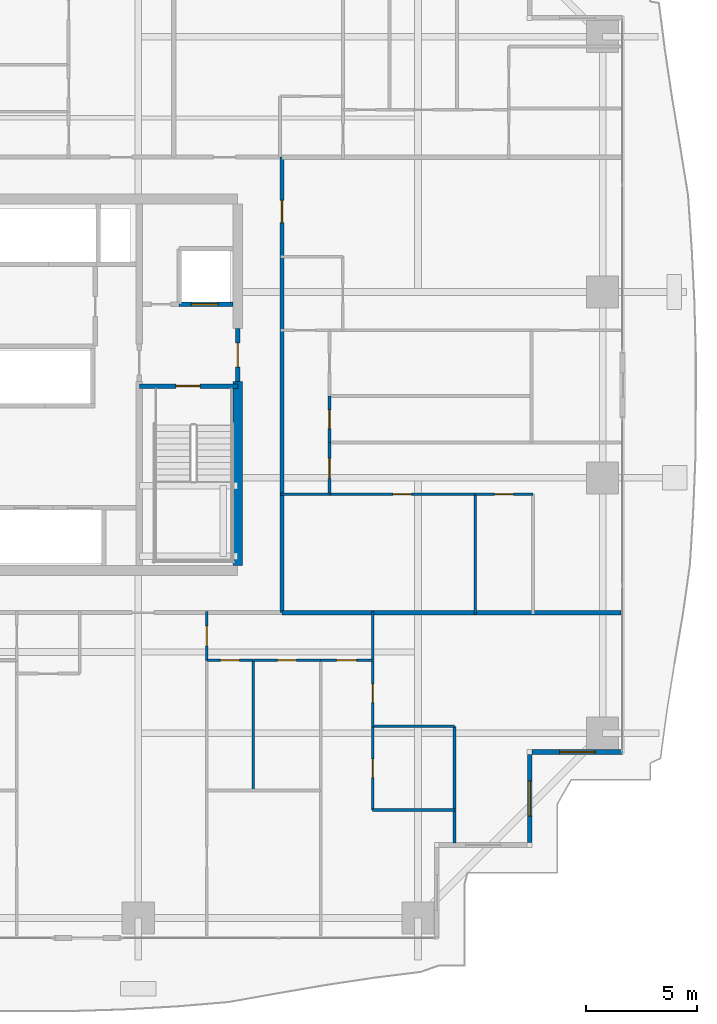
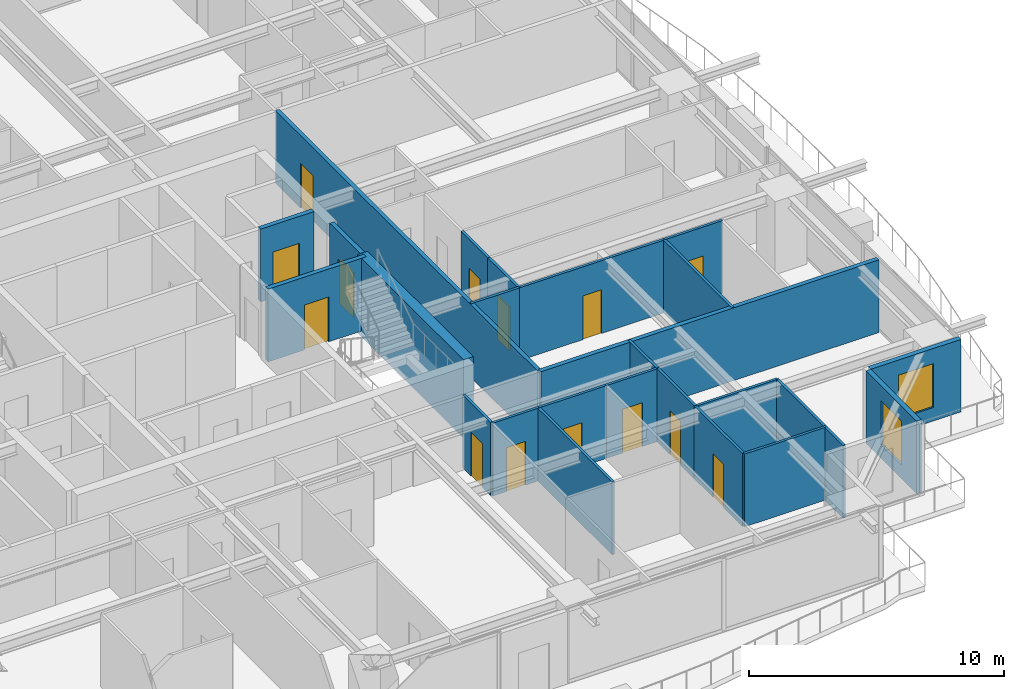
# One storey, part 29 of 39: 25 walls, 14 doors, 2 windows, 16 openings.
"""IFC4 building model written with IfcOpenShell, lengths in metres."""

from ifc_helpers import new_model, si_unit, direction, frame, frame_2d, origin, place, context, subcontext, project, spatial, rectangle, extrude, source, transform, mapped, material, layer, layer_set, type_object, element, fill, save


model = new_model("IFC4")

# Units and contexts
model_context = context("Model", 3, precision=1e-05, world=origin(), true_north=direction((0.0, 1.0)))
body_context = subcontext(model_context, "Body", "Model", "MODEL_VIEW")
ifc_project = project(units=[si_unit("LENGTHUNIT", "METRE"), si_unit("AREAUNIT", "SQUARE_METRE"), si_unit("VOLUMEUNIT", "CUBIC_METRE"), si_unit("PLANEANGLEUNIT", "RADIAN"), si_unit("MASSUNIT", "GRAM", prefix="KILO")], contexts=[model_context])

# Site, building, storey
site_placement = place(None, origin())
site = spatial("IfcSite", under=ifc_project, at=site_placement, CompositionType="ELEMENT")
building_placement = place(site_placement, origin())
building = spatial("IfcBuilding", under=site, at=building_placement, Name="Serunith Strait Residences", CompositionType="ELEMENT")
storey_placement = place(building_placement, frame((0.0, 0.0, 49.199951171875)))
storey = spatial("IfcBuildingStorey", under=building, at=storey_placement, Name="L11", CompositionType="ELEMENT", Elevation=49.199951171875)

# Wall, opening, window
ifc_material_1 = material(Name="Pale-Champagne Aluminium Insulated Panel", Category="aluminium")
ifc_layer_1 = layer(ifc_material_1, 0.219970703125, Name="Pale-Champagne Aluminium Insulated Panel")
ifc_layer_set_1 = layer_set([ifc_layer_1], Name="Pale-Champagne Aluminium Insulated Panel")
wall_type_1 = type_object("IfcWallType", Name="EW-ALUM-220", PredefinedType="ELEMENTEDWALL", material=ifc_layer_set_1)
wall_1_placement = place(storey_placement, frame((54.60009765625, 4.510009765625, 0.0), z_axis=(0.0, 0.0, 1.0), x_axis=(0.0, 1.0, 0.0)))
wall_1 = element("IfcWall", 1, at=wall_1_placement, inside=storey, type_object=wall_type_1, Name="L11 Girih Serrated Corner Wall 04", PredefinedType="ELEMENTEDWALL", context=body_context, shape_type="SweptSolid", body=[
    extrude(rectangle(XDim=3.97998046875, YDim=0.219970703125, at=frame_2d((1.989990234375, 0.0))), origin(), (0.0, 0.0, 1.0), 3.47509765625),
])
opening_1_placement = place(wall_1_placement, frame((1.18994140625, 0.0, 0.64990234375)))
opening_1 = element("IfcOpeningElement", 2, at=opening_1_placement, cuts=wall_1, Name="Opening W-02", PredefinedType="OPENING", context=body_context, shape_type="SweptSolid", body=[
    extrude(rectangle(XDim=1.60009765625, YDim=2.10009765625, at=frame_2d((0.800048828125, 1.050048828125))), frame((0.0, 0.1201171875, 0.0), z_axis=(0.0, -1.0, 0.0), x_axis=(1.0, 0.0, 0.0)), (0.0, 0.0, 1.0), 0.239990234375),
])
ifc_material_2 = material(Name="Ceramic-Fritted Operable Aluminium Window Glass", Category="aluminium")
window_type = type_object("IfcWindowType", Name="WIN-C2", PartitioningType="DOUBLE_PANEL_VERTICAL", PredefinedType="WINDOW", material=ifc_material_2)
shared_shape_1 = source(origin(), body_context, "Body", "SweptSolid", [
    extrude(rectangle(XDim=1.60009765625, YDim=2.10009765625, at=frame_2d((0.800048828125, 1.050048828125))), frame((0.0, 0.030029296875, 0.0), z_axis=(0.0, -1.0, 0.0), x_axis=(1.0, 0.0, 0.0)), (0.0, 0.0, 1.0), 0.06005859375),
])
window_1_placement = place(opening_1_placement, origin())
window_1 = element("IfcWindow", 3, at=window_1_placement, inside=storey, type_object=window_type, Name="L11 Corner Operable Fritted Window 04", OverallHeight=2.10009765625, OverallWidth=1.60009765625, PartitioningType="SINGLE_PANEL", PredefinedType="WINDOW", context=body_context, shape_type="MappedRepresentation", body=[
    mapped(shared_shape_1, transform((0.0, 0.0, 0.0), scale=1.0)),
])
fill(opening_1, window_1)

wall_2_placement = place(storey_placement, frame((54.7099609375, 8.60009765625, 0.0), z_axis=(0.0, 0.0, 1.0), x_axis=(1.0, 0.0, 0.0)))
wall_2 = element("IfcWall", 4, at=wall_2_placement, inside=storey, type_object=wall_type_1, Name="L11 Girih Serrated Corner Wall 05", PredefinedType="ELEMENTEDWALL", context=body_context, shape_type="SweptSolid", body=[
    extrude(rectangle(XDim=4.090087890625, YDim=0.219970703125, at=frame_2d((2.044921875, 0.0))), origin(), (0.0, 0.0, 1.0), 3.47509765625),
])
opening_2_placement = place(wall_2_placement, frame((1.2451171875, 0.0, 0.64990234375)))
opening_2 = element("IfcOpeningElement", 5, at=opening_2_placement, cuts=wall_2, Name="Opening W-02", PredefinedType="OPENING", context=body_context, shape_type="SweptSolid", body=[
    extrude(rectangle(XDim=1.60009765625, YDim=2.10009765625, at=frame_2d((0.800048828125, 1.050048828125))), frame((0.0, 0.1201171875, 0.0), z_axis=(0.0, -1.0, 0.0), x_axis=(1.0, 0.0, 0.0)), (0.0, 0.0, 1.0), 0.239990234375),
])
window_2_placement = place(opening_2_placement, origin())
window_2 = element("IfcWindow", 6, at=window_2_placement, inside=storey, type_object=window_type, Name="L11 Corner Operable Fritted Window 05", OverallHeight=2.10009765625, OverallWidth=1.60009765625, PartitioningType="SINGLE_PANEL", PredefinedType="WINDOW", context=body_context, shape_type="MappedRepresentation", body=[
    mapped(shared_shape_1, transform((0.0, 0.0, 0.0), scale=1.0)),
])
fill(opening_2, window_2)

# Wall, opening, door
ifc_material_3 = material(Name="Fire-rated acoustic gypsum partition")
ifc_layer_2 = layer(ifc_material_3, 0.179931640625, Name="Fire-rated acoustic gypsum partition")
ifc_layer_set_2 = layer_set([ifc_layer_2], Name="Fire-rated acoustic gypsum partition")
wall_type_2 = type_object("IfcWallType", Name="IW-CORR-180", PredefinedType="PARTITIONING", material=ifc_layer_set_2)
wall_3_placement = place(storey_placement, frame((43.39990234375, 14.89990234375, 0.0), z_axis=(0.0, 0.0, 1.0), x_axis=(0.0, 1.0, 0.0)))
wall_3 = element("IfcWall", 7, at=wall_3_placement, inside=storey, type_object=wall_type_2, Name="L11 Partition Wall 024", PredefinedType="PARTITIONING", context=body_context, shape_type="SweptSolid", body=[
    extrude(rectangle(XDim=20.60009765625, YDim=0.179931640625, at=frame_2d((10.300048828125, 0.0))), origin(), (0.0, 0.0, 1.0), 3.489990234375),
])
opening_3_placement = place(wall_3_placement, frame((17.639892578125, 0.0, 0.0)))
opening_3 = element("IfcOpeningElement", 8, at=opening_3_placement, cuts=wall_3, Name="Opening D-APT1000", PredefinedType="OPENING", context=body_context, shape_type="SweptSolid", body=[
    extrude(rectangle(XDim=1.0, YDim=2.14990234375, at=frame_2d((0.5, 1.074951171875))), frame((0.0, 0.10009765625, 0.0), z_axis=(0.0, -1.0, 0.0), x_axis=(1.0, 0.0, 0.0)), (0.0, 0.0, 1.0), 0.199951171875),
])
ifc_material_4 = material(Name="Solid timber engineered fire door", Category="wood")
door_type_1 = type_object("IfcDoorType", Name="ID-APT-1000", OperationType="NOTDEFINED", PredefinedType="DOOR", material=ifc_material_4)
shared_shape_2 = source(origin(), body_context, "Body", "SweptSolid", [
    extrude(rectangle(XDim=1.0, YDim=2.14990234375, at=frame_2d((0.5, 1.074951171875))), frame((0.0, 0.02490234375, 0.0), z_axis=(0.0, -1.0, 0.0), x_axis=(1.0, 0.0, 0.0)), (0.0, 0.0, 1.0), 0.050048828125),
])
door_1_placement = place(opening_3_placement, origin())
door_1 = element("IfcDoor", 9, at=door_1_placement, inside=storey, type_object=door_type_1, Name="L11 Unit 07 Entrance Door", OperationType="SINGLE_SWING_RIGHT", OverallHeight=2.14990234375, OverallWidth=1.0, PredefinedType="DOOR", context=body_context, shape_type="MappedRepresentation", body=[
    mapped(shared_shape_2, transform((0.0, 0.0, 0.0), scale=1.0)),
])
fill(opening_3, door_1)

ifc_material_5 = material(Name="Lightweight steel-stud gypsum partition", Category="steel")
ifc_layer_3 = layer(ifc_material_5, 0.1201171875, Name="Lightweight steel-stud gypsum partition")
ifc_layer_set_3 = layer_set([ifc_layer_3], Name="Lightweight steel-stud gypsum partition")
wall_type_3 = type_object("IfcWallType", Name="IW-PART-120", PredefinedType="PARTITIONING", material=ifc_layer_set_3)
wall_4_placement = place(storey_placement, frame((40.0, 12.75, 0.0), z_axis=(0.0, 0.0, 1.0), x_axis=(0.0, 1.0, 0.0)))
wall_4 = element("IfcWall", 10, at=wall_4_placement, inside=storey, type_object=wall_type_3, Name="L11 Partition Wall 042", PredefinedType="PARTITIONING", context=body_context, shape_type="SweptSolid", body=[
    extrude(rectangle(XDim=2.2099609375, YDim=0.1201171875, at=frame_2d((1.10498046875, 0.0))), origin(), (0.0, 0.0, 1.0), 3.489990234375),
])
opening_4_placement = place(wall_4_placement, frame((0.655029296875, 0.0, 0.0)))
opening_4 = element("IfcOpeningElement", 11, at=opening_4_placement, cuts=wall_4, Name="Opening D-RM900", PredefinedType="OPENING", context=body_context, shape_type="SweptSolid", body=[
    extrude(rectangle(XDim=0.89990234375, YDim=2.10009765625, at=frame_2d((0.449951171875, 1.050048828125))), frame((0.0, 0.070068359375, 0.0), z_axis=(0.0, -1.0, 0.0), x_axis=(1.0, 0.0, 0.0)), (0.0, 0.0, 1.0), 0.14013671875),
])
ifc_material_6 = material(Name="Engineered timber flush bedroom door", Category="wood")
door_type_2 = type_object("IfcDoorType", Name="ID-ROOM-900", OperationType="NOTDEFINED", PredefinedType="DOOR", material=ifc_material_6)
shared_shape_3 = source(origin(), body_context, "Body", "SweptSolid", [
    extrude(rectangle(XDim=0.89990234375, YDim=2.10009765625, at=frame_2d((0.449951171875, 1.050048828125))), frame((0.0, 0.02490234375, 0.0), z_axis=(0.0, -1.0, 0.0), x_axis=(1.0, 0.0, 0.0)), (0.0, 0.0, 1.0), 0.050048828125),
])
door_2_placement = place(opening_4_placement, origin())
door_2 = element("IfcDoor", 12, at=door_2_placement, inside=storey, type_object=door_type_2, Name="L11 Hall E 1101 Door", OperationType="SINGLE_SWING_LEFT", OverallHeight=2.10009765625, OverallWidth=0.89990234375, PredefinedType="DOOR", context=body_context, shape_type="MappedRepresentation", body=[
    mapped(shared_shape_3, transform((0.0, 0.0, 0.0), scale=1.0)),
])
fill(opening_4, door_2)

# Wall
wall_5_placement = place(storey_placement, frame((42.10009765625, 6.860107421875, 0.0), z_axis=(0.0, 0.0, 1.0), x_axis=(0.0, 1.0, 0.0)))
element("IfcWall", 13, at=wall_5_placement, inside=storey, type_object=wall_type_3, Name="L11 Partition Wall 047", PredefinedType="PARTITIONING", context=body_context, shape_type="SweptSolid", body=[
    extrude(rectangle(XDim=5.889892578125, YDim=0.1201171875, at=frame_2d((2.94482421875, 0.0))), origin(), (0.0, 0.0, 1.0), 3.489990234375),
])

# Wall, opening, door
wall_6_placement = place(storey_placement, frame((40.0, 12.75, 0.0), z_axis=(0.0, 0.0, 1.0), x_axis=(1.0, 0.0, 0.0)))
wall_6 = element("IfcWall", 14, at=wall_6_placement, inside=storey, type_object=wall_type_3, Name="L11 Partition Wall 048", PredefinedType="PARTITIONING", context=body_context, shape_type="SweptSolid", body=[
    extrude(rectangle(XDim=2.10009765625, YDim=0.1201171875, at=frame_2d((1.050048828125, 0.0))), origin(), (0.0, 0.0, 1.0), 3.489990234375),
])
opening_5_placement = place(wall_6_placement, frame((0.625, 0.0, 0.0)))
opening_5 = element("IfcOpeningElement", 15, at=opening_5_placement, cuts=wall_6, Name="Opening D-RM850", PredefinedType="OPENING", context=body_context, shape_type="SweptSolid", body=[
    extrude(rectangle(XDim=0.85009765625, YDim=2.10009765625, at=frame_2d((0.425048828125, 1.050048828125))), frame((0.0, 0.070068359375, 0.0), z_axis=(0.0, -1.0, 0.0), x_axis=(1.0, 0.0, 0.0)), (0.0, 0.0, 1.0), 0.14013671875),
])
ifc_material_7 = material(Name="Engineered timber flush study and kitchen door", Category="wood")
door_type_3 = type_object("IfcDoorType", Name="ID-ROOM-850", OperationType="NOTDEFINED", PredefinedType="DOOR", material=ifc_material_7)
shared_shape_4 = source(origin(), body_context, "Body", "SweptSolid", [
    extrude(rectangle(XDim=0.85009765625, YDim=2.10009765625, at=frame_2d((0.425048828125, 1.050048828125))), frame((0.0, 0.02490234375, 0.0), z_axis=(0.0, -1.0, 0.0), x_axis=(1.0, 0.0, 0.0)), (0.0, 0.0, 1.0), 0.050048828125),
])
door_3_placement = place(opening_5_placement, origin())
door_3 = element("IfcDoor", 16, at=door_3_placement, inside=storey, type_object=door_type_3, Name="L11 Study 1101 Door", OperationType="SINGLE_SWING_LEFT", OverallHeight=2.10009765625, OverallWidth=0.85009765625, PredefinedType="DOOR", context=body_context, shape_type="MappedRepresentation", body=[
    mapped(shared_shape_4, transform((0.0, 0.0, 0.0), scale=1.0)),
])
fill(opening_5, door_3)

wall_7_placement = place(storey_placement, frame((42.10205078125, 12.75, 0.0), z_axis=(0.0, 0.0, 1.0), x_axis=(1.0, 0.0, 0.0)))
wall_7 = element("IfcWall", 17, at=wall_7_placement, inside=storey, type_object=wall_type_3, Name="L11 Partition Wall 049", PredefinedType="PARTITIONING", context=body_context, shape_type="SweptSolid", body=[
    extrude(rectangle(XDim=3.0478515625, YDim=0.1201171875, at=frame_2d((1.52392578125, 0.0))), origin(), (0.0, 0.0, 1.0), 3.489990234375),
])
opening_6_placement = place(wall_7_placement, frame((1.09912109375, 0.0, 0.0)))
opening_6 = element("IfcOpeningElement", 18, at=opening_6_placement, cuts=wall_7, Name="Opening D-RM850", PredefinedType="OPENING", context=body_context, shape_type="SweptSolid", body=[
    extrude(rectangle(XDim=0.85009765625, YDim=2.10009765625, at=frame_2d((0.425048828125, 1.050048828125))), frame((0.0, 0.070068359375, 0.0), z_axis=(0.0, -1.0, 0.0), x_axis=(1.0, 0.0, 0.0)), (0.0, 0.0, 1.0), 0.14013671875),
])
door_4_placement = place(opening_6_placement, origin())
door_4 = element("IfcDoor", 19, at=door_4_placement, inside=storey, type_object=door_type_3, Name="L11 Formal Dining Room 1101 Door", OperationType="SINGLE_SWING_RIGHT", OverallHeight=2.10009765625, OverallWidth=0.85009765625, PredefinedType="DOOR", context=body_context, shape_type="MappedRepresentation", body=[
    mapped(shared_shape_4, transform((0.0, 0.0, 0.0), scale=1.0)),
])
fill(opening_6, door_4)

wall_8_placement = place(storey_placement, frame((45.152099609375, 12.75, 0.0), z_axis=(0.0, 0.0, 1.0), x_axis=(1.0, 0.0, 0.0)))
wall_8 = element("IfcWall", 20, at=wall_8_placement, inside=storey, type_object=wall_type_3, Name="L11 Partition Wall 050", PredefinedType="PARTITIONING", context=body_context, shape_type="SweptSolid", body=[
    extrude(rectangle(XDim=2.347900390625, YDim=0.1201171875, at=frame_2d((1.173828125, 0.0))), origin(), (0.0, 0.0, 1.0), 3.489990234375),
])
opening_7_placement = place(wall_8_placement, frame((0.72412109375, 0.0, 0.0)))
opening_7 = element("IfcOpeningElement", 21, at=opening_7_placement, cuts=wall_8, Name="Opening D-RM900", PredefinedType="OPENING", context=body_context, shape_type="SweptSolid", body=[
    extrude(rectangle(XDim=0.89990234375, YDim=2.10009765625, at=frame_2d((0.449951171875, 1.050048828125))), frame((0.0, 0.070068359375, 0.0), z_axis=(0.0, -1.0, 0.0), x_axis=(1.0, 0.0, 0.0)), (0.0, 0.0, 1.0), 0.14013671875),
])
door_5_placement = place(opening_7_placement, origin())
door_5 = element("IfcDoor", 22, at=door_5_placement, inside=storey, type_object=door_type_2, Name="L11 Master Bedroom E 1101 Door", OperationType="SINGLE_SWING_LEFT", OverallHeight=2.10009765625, OverallWidth=0.89990234375, PredefinedType="DOOR", context=body_context, shape_type="MappedRepresentation", body=[
    mapped(shared_shape_3, transform((0.0, 0.0, 0.0), scale=1.0)),
])
fill(opening_7, door_5)

# Walls
wall_9_placement = place(storey_placement, frame((47.5, 5.97802734375, 0.0), z_axis=(0.0, 0.0, 1.0), x_axis=(1.0, 0.0, 0.0)))
element("IfcWall", 23, at=wall_9_placement, inside=storey, type_object=wall_type_3, Name="L11 Partition Wall 051", PredefinedType="PARTITIONING", context=body_context, shape_type="SweptSolid", body=[
    extrude(rectangle(XDim=3.699951171875, YDim=0.1201171875, at=frame_2d((1.85009765625, 0.0))), origin(), (0.0, 0.0, 1.0), 3.489990234375),
])
wall_10_placement = place(storey_placement, frame((51.199951171875, 4.4951171875, 0.0), z_axis=(0.0, 0.0, 1.0), x_axis=(0.0, 1.0, 0.0)))
element("IfcWall", 24, at=wall_10_placement, inside=storey, type_object=wall_type_3, Name="L11 Partition Wall 052", PredefinedType="PARTITIONING", context=body_context, shape_type="SweptSolid", body=[
    extrude(rectangle(XDim=5.266845703125, YDim=0.1201171875, at=frame_2d((2.63330078125, 0.0))), origin(), (0.0, 0.0, 1.0), 3.489990234375),
])
wall_11_placement = place(storey_placement, frame((47.5, 9.761962890625, 0.0), z_axis=(0.0, 0.0, 1.0), x_axis=(1.0, 0.0, 0.0)))
element("IfcWall", 25, at=wall_11_placement, inside=storey, type_object=wall_type_3, Name="L11 Partition Wall 053", PredefinedType="PARTITIONING", context=body_context, shape_type="SweptSolid", body=[
    extrude(rectangle(XDim=3.699951171875, YDim=0.1201171875, at=frame_2d((1.85009765625, 0.0))), origin(), (0.0, 0.0, 1.0), 3.489990234375),
])

# Wall, opening, door
wall_12_placement = place(storey_placement, frame((47.5, 5.97802734375, 0.0), z_axis=(0.0, 0.0, 1.0), x_axis=(0.0, 1.0, 0.0)))
wall_12 = element("IfcWall", 26, at=wall_12_placement, inside=storey, type_object=wall_type_3, Name="L11 Partition Wall 054", PredefinedType="PARTITIONING", context=body_context, shape_type="SweptSolid", body=[
    extrude(rectangle(XDim=3.783935546875, YDim=0.1201171875, at=frame_2d((1.89208984375, 0.0))), origin(), (0.0, 0.0, 1.0), 3.489990234375),
])
opening_8_placement = place(wall_12_placement, frame((1.467041015625, 0.0, 0.0)))
opening_8 = element("IfcOpeningElement", 27, at=opening_8_placement, cuts=wall_12, Name="Opening D-BTH850", PredefinedType="OPENING", context=body_context, shape_type="SweptSolid", body=[
    extrude(rectangle(XDim=0.85009765625, YDim=2.10009765625, at=frame_2d((0.425048828125, 1.050048828125))), frame((0.0, 0.070068359375, 0.0), z_axis=(0.0, -1.0, 0.0), x_axis=(1.0, 0.0, 0.0)), (0.0, 0.0, 1.0), 0.14013671875),
])
ifc_material_8 = material(Name="Moisture-resistant timber bathroom door", Category="wood")
door_type_4 = type_object("IfcDoorType", Name="ID-BATH-850", OperationType="NOTDEFINED", PredefinedType="DOOR", material=ifc_material_8)
door_6_placement = place(opening_8_placement, origin())
door_6 = element("IfcDoor", 28, at=door_6_placement, inside=storey, type_object=door_type_4, Name="L11 En-suite Bathroom E 1101 Door", OperationType="SINGLE_SWING_RIGHT", OverallHeight=2.10009765625, OverallWidth=0.85009765625, PredefinedType="DOOR", context=body_context, shape_type="MappedRepresentation", body=[
    mapped(shared_shape_4, transform((0.0, 0.0, 0.0), scale=1.0)),
])
fill(opening_8, door_6)

wall_13_placement = place(storey_placement, frame((47.5, 9.763916015625, 0.0), z_axis=(0.0, 0.0, 1.0), x_axis=(0.0, 1.0, 0.0)))
wall_13 = element("IfcWall", 29, at=wall_13_placement, inside=storey, type_object=wall_type_3, Name="L11 Partition Wall 055", PredefinedType="PARTITIONING", context=body_context, shape_type="SweptSolid", body=[
    extrude(rectangle(XDim=2.986083984375, YDim=0.1201171875, at=frame_2d((1.4931640625, 0.0))), origin(), (0.0, 0.0, 1.0), 3.489990234375),
])
opening_9_placement = place(wall_13_placement, frame((1.068115234375, 0.0, 0.0)))
opening_9 = element("IfcOpeningElement", 30, at=opening_9_placement, cuts=wall_13, Name="Opening D-RM850", PredefinedType="OPENING", context=body_context, shape_type="SweptSolid", body=[
    extrude(rectangle(XDim=0.85009765625, YDim=2.10009765625, at=frame_2d((0.425048828125, 1.050048828125))), frame((0.0, 0.070068359375, 0.0), z_axis=(0.0, -1.0, 0.0), x_axis=(1.0, 0.0, 0.0)), (0.0, 0.0, 1.0), 0.14013671875),
])
door_7_placement = place(opening_9_placement, origin())
door_7 = element("IfcDoor", 31, at=door_7_placement, inside=storey, type_object=door_type_3, Name="L11 Wardrobe E 1101 Door", OperationType="SINGLE_SWING_LEFT", OverallHeight=2.10009765625, OverallWidth=0.85009765625, PredefinedType="DOOR", context=body_context, shape_type="MappedRepresentation", body=[
    mapped(shared_shape_4, transform((0.0, 0.0, 0.0), scale=1.0)),
])
fill(opening_9, door_7)

# Wall
wall_14_placement = place(storey_placement, frame((47.5, 12.751953125, 0.0), z_axis=(0.0, 0.0, 1.0), x_axis=(0.0, 1.0, 0.0)))
element("IfcWall", 32, at=wall_14_placement, inside=storey, type_object=wall_type_3, Name="L11 Partition Wall 056", PredefinedType="PARTITIONING", context=body_context, shape_type="SweptSolid", body=[
    extrude(rectangle(XDim=2.2080078125, YDim=0.1201171875, at=frame_2d((1.10400390625, 0.0))), origin(), (0.0, 0.0, 1.0), 3.489990234375),
])

# Wall, opening, door
wall_15_placement = place(storey_placement, frame((45.550048828125, 22.60009765625, 0.0), z_axis=(0.0, 0.0, 1.0), x_axis=(0.0, 1.0, 0.0)))
wall_15 = element("IfcWall", 33, at=wall_15_placement, inside=storey, type_object=wall_type_3, Name="L11 Partition Wall 113", PredefinedType="PARTITIONING", context=body_context, shape_type="SweptSolid", body=[
    extrude(rectangle(XDim=2.099853515625, YDim=0.1201171875, at=frame_2d((1.0498046875, 0.0))), origin(), (0.0, 0.0, 1.0), 3.489990234375),
])
opening_10_placement = place(wall_15_placement, frame((0.625, 0.0, 0.0)))
opening_10 = element("IfcOpeningElement", 34, at=opening_10_placement, cuts=wall_15, Name="Opening D-BTH850", PredefinedType="OPENING", context=body_context, shape_type="SweptSolid", body=[
    extrude(rectangle(XDim=0.85009765625, YDim=2.10009765625, at=frame_2d((0.425048828125, 1.050048828125))), frame((0.0, 0.070068359375, 0.0), z_axis=(0.0, -1.0, 0.0), x_axis=(1.0, 0.0, 0.0)), (0.0, 0.0, 1.0), 0.14013671875),
])
door_8_placement = place(opening_10_placement, origin())
door_8 = element("IfcDoor", 35, at=door_8_placement, inside=storey, type_object=door_type_4, Name="L11 Bathroom 1107 Door", OperationType="SINGLE_SWING_LEFT", OverallHeight=2.10009765625, OverallWidth=0.85009765625, PredefinedType="DOOR", context=body_context, shape_type="MappedRepresentation", body=[
    mapped(shared_shape_4, transform((0.0, 0.0, 0.0), scale=1.0)),
])
fill(opening_10, door_8)

wall_16_placement = place(storey_placement, frame((45.550048828125, 20.25, 0.0), z_axis=(0.0, 0.0, 1.0), x_axis=(0.0, 1.0, 0.0)))
wall_16 = element("IfcWall", 36, at=wall_16_placement, inside=storey, type_object=wall_type_3, Name="L11 Partition Wall 115", PredefinedType="PARTITIONING", context=body_context, shape_type="SweptSolid", body=[
    extrude(rectangle(XDim=2.347900390625, YDim=0.1201171875, at=frame_2d((1.173828125, 0.0))), origin(), (0.0, 0.0, 1.0), 3.489990234375),
])
opening_11_placement = place(wall_16_placement, frame((0.72412109375, 0.0, 0.0)))
opening_11 = element("IfcOpeningElement", 37, at=opening_11_placement, cuts=wall_16, Name="Opening D-RM900", PredefinedType="OPENING", context=body_context, shape_type="SweptSolid", body=[
    extrude(rectangle(XDim=0.89990234375, YDim=2.10009765625, at=frame_2d((0.449951171875, 1.050048828125))), frame((0.0, 0.070068359375, 0.0), z_axis=(0.0, -1.0, 0.0), x_axis=(1.0, 0.0, 0.0)), (0.0, 0.0, 1.0), 0.14013671875),
])
door_9_placement = place(opening_11_placement, origin())
door_9 = element("IfcDoor", 38, at=door_9_placement, inside=storey, type_object=door_type_2, Name="L11 Master Bedroom W 1107 Door", OperationType="SINGLE_SWING_LEFT", OverallHeight=2.10009765625, OverallWidth=0.89990234375, PredefinedType="DOOR", context=body_context, shape_type="MappedRepresentation", body=[
    mapped(shared_shape_3, transform((0.0, 0.0, 0.0), scale=1.0)),
])
fill(opening_11, door_9)

# Wall
wall_17_placement = place(storey_placement, frame((52.133056640625, 14.840087890625, 0.0), z_axis=(0.0, 0.0, 1.0), x_axis=(0.0, 1.0, 0.0)))
element("IfcWall", 39, at=wall_17_placement, inside=storey, type_object=wall_type_3, Name="L11 Partition Wall 117", PredefinedType="PARTITIONING", context=body_context, shape_type="SweptSolid", body=[
    extrude(rectangle(XDim=5.409912109375, YDim=0.1201171875, at=frame_2d((2.705078125, 0.0))), origin(), (0.0, 0.0, 1.0), 3.489990234375),
])

# Wall, opening, door
wall_18_placement = place(storey_placement, frame((54.75, 20.25, 0.0), z_axis=(0.0, 0.0, 1.0), x_axis=(-1.0, 0.0, 0.0)))
wall_18 = element("IfcWall", 40, at=wall_18_placement, inside=storey, type_object=wall_type_3, Name="L11 Partition Wall 118", PredefinedType="PARTITIONING", context=body_context, shape_type="SweptSolid", body=[
    extrude(rectangle(XDim=2.616943359375, YDim=0.1201171875, at=frame_2d((1.30859375, 0.0))), origin(), (0.0, 0.0, 1.0), 3.489990234375),
])
opening_12_placement = place(wall_18_placement, frame((0.883056640625, 0.0, 0.0)))
opening_12 = element("IfcOpeningElement", 41, at=opening_12_placement, cuts=wall_18, Name="Opening D-BTH850", PredefinedType="OPENING", context=body_context, shape_type="SweptSolid", body=[
    extrude(rectangle(XDim=0.85009765625, YDim=2.10009765625, at=frame_2d((0.425048828125, 1.050048828125))), frame((0.0, 0.070068359375, 0.0), z_axis=(0.0, -1.0, 0.0), x_axis=(1.0, 0.0, 0.0)), (0.0, 0.0, 1.0), 0.14013671875),
])
door_10_placement = place(opening_12_placement, origin())
door_10 = element("IfcDoor", 42, at=door_10_placement, inside=storey, type_object=door_type_4, Name="L11 En-suite Bathroom W 1107 Door", OperationType="SINGLE_SWING_RIGHT", OverallHeight=2.10009765625, OverallWidth=0.85009765625, PredefinedType="DOOR", context=body_context, shape_type="MappedRepresentation", body=[
    mapped(shared_shape_4, transform((0.0, 0.0, 0.0), scale=1.0)),
])
fill(opening_12, door_10)

wall_19_placement = place(storey_placement, frame((52.131103515625, 20.25, 0.0), z_axis=(0.0, 0.0, 1.0), x_axis=(-1.0, 0.0, 0.0)))
wall_19 = element("IfcWall", 43, at=wall_19_placement, inside=storey, type_object=wall_type_3, Name="L11 Partition Wall 119", PredefinedType="PARTITIONING", context=body_context, shape_type="SweptSolid", body=[
    extrude(rectangle(XDim=6.5810546875, YDim=0.1201171875, at=frame_2d((3.29052734375, 0.0))), origin(), (0.0, 0.0, 1.0), 3.489990234375),
])
opening_13_placement = place(wall_19_placement, frame((2.865966796875, 0.0, 0.0)))
opening_13 = element("IfcOpeningElement", 44, at=opening_13_placement, cuts=wall_19, Name="Opening D-RM850", PredefinedType="OPENING", context=body_context, shape_type="SweptSolid", body=[
    extrude(rectangle(XDim=0.85009765625, YDim=2.10009765625, at=frame_2d((0.425048828125, 1.050048828125))), frame((0.0, 0.070068359375, 0.0), z_axis=(0.0, -1.0, 0.0), x_axis=(1.0, 0.0, 0.0)), (0.0, 0.0, 1.0), 0.14013671875),
])
door_11_placement = place(opening_13_placement, origin())
door_11 = element("IfcDoor", 45, at=door_11_placement, inside=storey, type_object=door_type_3, Name="L11 Wardrobe W 1107 Door", OperationType="SINGLE_SWING_LEFT", OverallHeight=2.10009765625, OverallWidth=0.85009765625, PredefinedType="DOOR", context=body_context, shape_type="MappedRepresentation", body=[
    mapped(shared_shape_4, transform((0.0, 0.0, 0.0), scale=1.0)),
])
fill(opening_13, door_11)

# Walls
wall_20_placement = place(storey_placement, frame((45.548095703125, 20.25, 0.0), z_axis=(0.0, 0.0, 1.0), x_axis=(-1.0, 0.0, 0.0)))
element("IfcWall", 46, at=wall_20_placement, inside=storey, type_object=wall_type_3, Name="L11 Partition Wall 120", PredefinedType="PARTITIONING", context=body_context, shape_type="SweptSolid", body=[
    extrude(rectangle(XDim=2.2080078125, YDim=0.1201171875, at=frame_2d((1.10400390625, 0.0))), origin(), (0.0, 0.0, 1.0), 3.489990234375),
])
ifc_material_9 = material(Name="Twin-stud acoustic gypsum board partition")
ifc_layer_4 = layer(ifc_material_9, 0.199951171875, Name="Twin-stud acoustic gypsum board partition")
ifc_layer_set_4 = layer_set([ifc_layer_4], Name="Twin-stud acoustic gypsum board partition")
wall_type_4 = type_object("IfcWallType", Name="IW-PARTY-200", PredefinedType="PARTITIONING", material=ifc_layer_set_4)
wall_21_placement = place(storey_placement, frame((43.39990234375, 14.89990234375, 0.0), z_axis=(0.0, 0.0, 1.0), x_axis=(1.0, 0.0, 0.0)))
element("IfcWall", 47, at=wall_21_placement, inside=storey, type_object=wall_type_4, Name="L11 Partition Wall 018", PredefinedType="PARTITIONING", context=body_context, shape_type="SweptSolid", body=[
    extrude(rectangle(XDim=15.318115234375, YDim=0.199951171875, at=frame_2d((7.6591796875, 0.0))), origin(), (0.0, 0.0, 1.0), 3.489990234375),
])

# Wall, opening, door
ifc_material_10 = material(Name="Autoclaved aerated concrete blockwork", Category="masonry")
ifc_layer_5 = layer(ifc_material_10, 0.199951171875, Name="Autoclaved aerated concrete blockwork")
ifc_layer_set_5 = layer_set([ifc_layer_5], Name="Autoclaved aerated concrete blockwork")
wall_type_5 = type_object("IfcWallType", Name="IW-SHAFT-200", PredefinedType="STANDARD", material=ifc_layer_set_5)
wall_22_placement = place(storey_placement, frame((36.949951171875, 25.14990234375, 0.0), z_axis=(0.0, 0.0, 1.0), x_axis=(1.0, 0.0, 0.0)))
wall_22 = element("IfcWall", 48, at=wall_22_placement, inside=storey, type_object=wall_type_5, Name="L11 ST-2 North Shaft Wall", PredefinedType="STANDARD", context=body_context, shape_type="SweptSolid", body=[
    extrude(rectangle(XDim=4.449951171875, YDim=0.199951171875, at=frame_2d((2.22509765625, 0.0))), origin(), (0.0, 0.0, 1.0), 3.489990234375),
])
opening_14_placement = place(wall_22_placement, frame((1.64990234375, 0.0, 0.0)))
opening_14 = element("IfcOpeningElement", 49, at=opening_14_placement, cuts=wall_22, Name="Opening FD-1100", PredefinedType="OPENING", context=body_context, shape_type="SweptSolid", body=[
    extrude(rectangle(XDim=1.10009765625, YDim=2.14990234375, at=frame_2d((0.550048828125, 1.074951171875))), frame((0.0, 0.10986328125, 0.0), z_axis=(0.0, -1.0, 0.0), x_axis=(1.0, 0.0, 0.0)), (0.0, 0.0, 1.0), 0.219970703125),
])
ifc_material_11 = material(Name="Galvanised steel fire door leaf", Category="steel")
door_type_5 = type_object("IfcDoorType", Name="FD-STAIR-1100", OperationType="NOTDEFINED", PredefinedType="DOOR", material=ifc_material_11)
shared_shape_5 = source(origin(), body_context, "Body", "SweptSolid", [
    extrude(rectangle(XDim=1.10009765625, YDim=2.14990234375, at=frame_2d((0.550048828125, 1.074951171875))), frame((0.0, 0.02490234375, 0.0), z_axis=(0.0, -1.0, 0.0), x_axis=(1.0, 0.0, 0.0)), (0.0, 0.0, 1.0), 0.050048828125),
])
door_12_placement = place(opening_14_placement, origin())
door_12 = element("IfcDoor", 50, at=door_12_placement, inside=storey, type_object=door_type_5, Name="L11 ST-2 Escape Stair Door", OperationType="SINGLE_SWING_RIGHT", OverallHeight=2.14990234375, OverallWidth=1.10009765625, PredefinedType="DOOR", context=body_context, shape_type="MappedRepresentation", body=[
    mapped(shared_shape_5, transform((0.0, 0.0, 0.0), scale=1.0)),
])
fill(opening_14, door_12)

wall_23_placement = place(storey_placement, frame((38.75, 28.85009765625, 0.0), z_axis=(0.0, 0.0, 1.0), x_axis=(1.0, 0.0, 0.0)))
wall_23 = element("IfcWall", 51, at=wall_23_placement, inside=storey, type_object=wall_type_5, Name="L11 FL-2 South Shaft Wall", PredefinedType="STANDARD", context=body_context, shape_type="SweptSolid", body=[
    extrude(rectangle(XDim=2.425048828125, YDim=0.199951171875, at=frame_2d((1.21240234375, 0.0))), origin(), (0.0, 0.0, 1.0), 3.489990234375),
])
opening_15_placement = place(wall_23_placement, frame((0.550048828125, 0.0, 0.0)))
opening_15 = element("IfcOpeningElement", 52, at=opening_15_placement, cuts=wall_23, Name="Opening LD-FF1200", PredefinedType="OPENING", context=body_context, shape_type="SweptSolid", body=[
    extrude(rectangle(XDim=1.199951171875, YDim=2.199951171875, at=frame_2d((0.60009765625, 1.10009765625))), frame((0.0, 0.10986328125, 0.0), z_axis=(0.0, -1.0, 0.0), x_axis=(1.0, 0.0, 0.0)), (0.0, 0.0, 1.0), 0.219970703125),
])
ifc_material_12 = material(Name="Brushed stainless steel landing door", Category="steel")
door_type_6 = type_object("IfcDoorType", Name="LD-FF-1200", OperationType="DOUBLE_DOOR_SLIDING", PredefinedType="DOOR", material=ifc_material_12)
shared_shape_6 = source(origin(), body_context, "Body", "SweptSolid", [
    extrude(rectangle(XDim=1.199951171875, YDim=2.199951171875, at=frame_2d((0.60009765625, 1.10009765625))), frame((0.0, 0.02490234375, 0.0), z_axis=(0.0, -1.0, 0.0), x_axis=(1.0, 0.0, 0.0)), (0.0, 0.0, 1.0), 0.050048828125),
])
door_13_placement = place(opening_15_placement, origin())
door_13 = element("IfcDoor", 53, at=door_13_placement, inside=storey, type_object=door_type_6, Name="L11 FL-2 Landing Door", OperationType="DOUBLE_DOOR_SLIDING", OverallHeight=2.199951171875, OverallWidth=1.199951171875, PredefinedType="DOOR", context=body_context, shape_type="MappedRepresentation", body=[
    mapped(shared_shape_6, transform((0.0, 0.0, 0.0), scale=1.0)),
])
fill(opening_15, door_13)

wall_24_placement = place(storey_placement, frame((41.39990234375, 25.35205078125, 0.0), z_axis=(0.0, 0.0, 1.0), x_axis=(0.0, 1.0, 0.0)))
wall_24 = element("IfcWall", 54, at=wall_24_placement, inside=storey, type_object=wall_type_5, Name="L11 Partition Wall 008", PredefinedType="STANDARD", context=body_context, shape_type="SweptSolid", body=[
    extrude(rectangle(XDim=2.39599609375, YDim=0.199951171875, at=frame_2d((1.197998046875, 0.0))), origin(), (0.0, 0.0, 1.0), 3.489990234375),
])
opening_16_placement = place(wall_24_placement, frame((0.64794921875, 0.0, 0.0)))
opening_16 = element("IfcOpeningElement", 55, at=opening_16_placement, cuts=wall_24, Name="Opening FD-FFL", PredefinedType="OPENING", context=body_context, shape_type="SweptSolid", body=[
    extrude(rectangle(XDim=1.10009765625, YDim=2.14990234375, at=frame_2d((0.550048828125, 1.074951171875))), frame((0.0, 0.10986328125, 0.0), z_axis=(0.0, -1.0, 0.0), x_axis=(1.0, 0.0, 0.0)), (0.0, 0.0, 1.0), 0.219970703125),
])
ifc_material_13 = material(Name="Glazed steel smoke-lobby fire door", Category="steel")
door_type_7 = type_object("IfcDoorType", Name="FD-FFL-1100", OperationType="NOTDEFINED", PredefinedType="DOOR", material=ifc_material_13)
door_14_placement = place(opening_16_placement, origin())
door_14 = element("IfcDoor", 56, at=door_14_placement, inside=storey, type_object=door_type_7, Name="L11 FFL-2 Corridor Fire Door", OperationType="SINGLE_SWING_LEFT", OverallHeight=2.14990234375, OverallWidth=1.10009765625, PredefinedType="DOOR", context=body_context, shape_type="MappedRepresentation", body=[
    mapped(shared_shape_5, transform((0.0, 0.0, 0.0), scale=1.0)),
])
fill(opening_16, door_14)

# Wall
ifc_material_14 = material(Name="Concrete C80/95", Category="concrete")
ifc_layer_6 = layer(ifc_material_14, 0.449951171875, Name="Concrete C80/95")
ifc_layer_set_6 = layer_set([ifc_layer_6], Name="Concrete C80/95")
wall_type_6 = type_object("IfcWallType", Name="SW-450-C80", PredefinedType="SHEAR", material=ifc_layer_set_6)
wall_25_placement = place(storey_placement, frame((41.39990234375, 17.02490234375, -0.260009765625), z_axis=(0.0, 0.0, 1.0), x_axis=(0.0, 1.0, 0.0)))
element("IfcWall", 57, at=wall_25_placement, inside=storey, type_object=wall_type_6, Name="L11 Core East Shear Wall South Pier", PredefinedType="SHEAR", context=body_context, shape_type="SweptSolid", body=[
    extrude(rectangle(XDim=8.3251953125, YDim=0.449951171875, at=frame_2d((4.16259765625, 0.0))), origin(), (0.0, 0.0, 1.0), 3.748046875),
])

save(model, "model.ifc")
